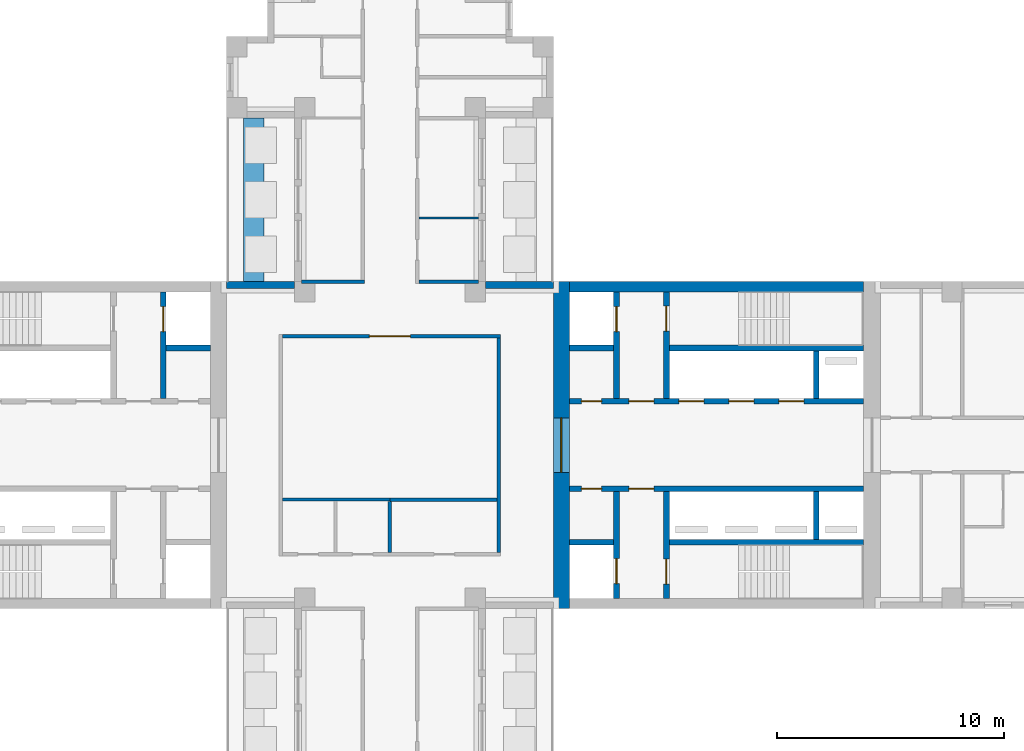
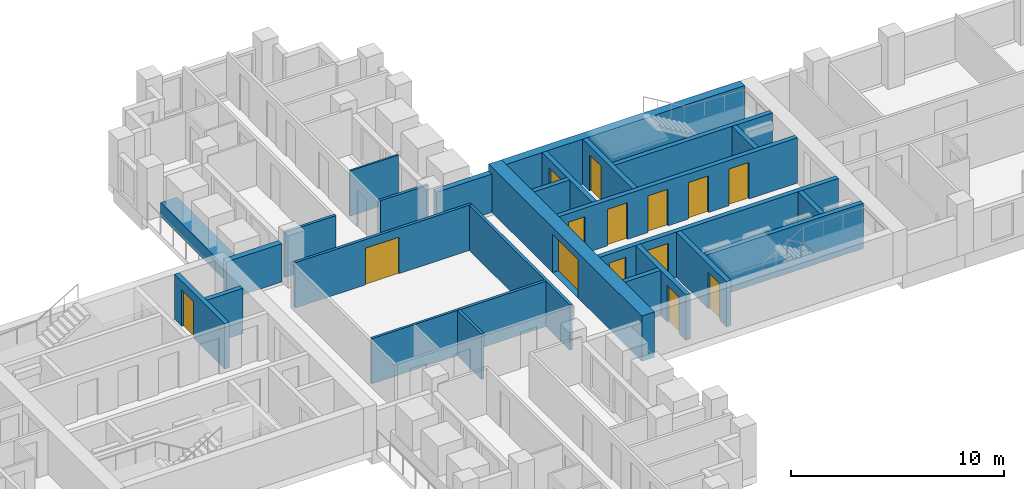
# One storey, part 6 of 11: 27 walls, 14 doors, 14 openings.
"""IFC4 building model written with IfcOpenShell, lengths in metres."""

import ifcopenshell
import ifcopenshell.guid

model = None  # the IFC model being written
_history = None  # IfcOwnerHistory: only IFC2X3 demands one
_inside = {}  # id of a spatial element -> (the spatial element, [elements in it])
_under = {}  # id of a project, library or spatial element -> (it, [spatial elements below it])
_declared = {}  # id of a project -> (the project, [libraries it declares])
_typed = {}  # id of a type object -> (the type object, [elements of that type])
_made_of = {}  # id of a material, layer set ... -> (it, [elements and type objects made of it])


def new_model(schema):
    """Start an empty IFC model of exactly this schema.

    Asked for "IFC4X3", IfcOpenShell would pick the latest addendum, in which some entities
    have other attributes; the version numbers below select the first issue.
    IFC2X3 requires an IfcOwnerHistory on every rooted entity: one is made here for all.
    """
    global model, _history
    if schema == "IFC4X3":
        model = ifcopenshell.file(schema_version=(4, 3, 0, 0))
    else:
        model = ifcopenshell.file(schema=schema)
    _inside.clear()
    _under.clear()
    _declared.clear()
    _typed.clear()
    _made_of.clear()
    _history = None
    if model.schema == "IFC2X3":
        org = make("IfcOrganization", Name="unknown")
        user = make(
            "IfcPersonAndOrganization",
            ThePerson=make("IfcPerson", FamilyName="unknown"),
            TheOrganization=org,
        )
        app = make(
            "IfcApplication",
            ApplicationDeveloper=org,
            Version="unknown",
            ApplicationFullName="unknown",
            ApplicationIdentifier="unknown",
        )
        _history = make(
            "IfcOwnerHistory",
            OwningUser=user,
            OwningApplication=app,
            ChangeAction="ADDED",
            CreationDate=0,
        )
    return model


def make(cls, **values):
    """One entity of the class cls with the attributes given. An attribute that is None is left unset."""
    return model.create_entity(
        cls, **{name: value for name, value in values.items() if value is not None}
    )


def rooted(cls, **values):
    """An entity with a GlobalId (a new one), such as an element, a storey or a relation."""
    return make(cls, GlobalId=ifcopenshell.guid.new(), OwnerHistory=_history, **values)


def si_unit(unit_type, name, prefix=None):
    """IfcSIUnit, for example si_unit("LENGTHUNIT", "METRE", prefix="MILLI")."""
    return make("IfcSIUnit", UnitType=unit_type, Prefix=prefix, Name=name)


def assignment(units):
    """IfcUnitAssignment: the units of a project."""
    return None if units is None else make("IfcUnitAssignment", Units=units)


def point(xyz):
    """IfcCartesianPoint."""
    return None if xyz is None else make("IfcCartesianPoint", Coordinates=xyz)


def direction(xyz):
    """IfcDirection."""
    return None if xyz is None else make("IfcDirection", DirectionRatios=xyz)


def frame(location, z_axis=None, x_axis=None):
    """IfcAxis2Placement3D, a coordinate frame: its origin and axes. An axis left out is left unset."""
    return make(
        "IfcAxis2Placement3D",
        Location=point(location),
        Axis=direction(z_axis),
        RefDirection=direction(x_axis),
    )


def frame_2d(location, x_axis=None):
    """IfcAxis2Placement2D, a coordinate frame in the plane: its origin and x axis."""
    return make(
        "IfcAxis2Placement2D", Location=point(location), RefDirection=direction(x_axis)
    )


def origin():
    """The frame at (0, 0, 0) with its axes left unset."""
    return frame((0.0, 0.0, 0.0))


def place(relative_to, where):
    """IfcLocalPlacement: puts the frame where relative to a parent placement (None: the world)."""
    return make(
        "IfcLocalPlacement", PlacementRelTo=relative_to, RelativePlacement=where
    )


def context(
    kind, dimensions, precision=None, world=None, true_north=None, identifier=None
):
    """IfcGeometricRepresentationContext, for example the 3D "Model" context."""
    return make(
        "IfcGeometricRepresentationContext",
        ContextIdentifier=identifier,
        ContextType=kind,
        CoordinateSpaceDimension=dimensions,
        Precision=precision,
        WorldCoordinateSystem=world,
        TrueNorth=true_north,
    )


def subcontext(parent, identifier, kind, view, scale=None):
    """IfcGeometricRepresentationSubContext, for example "Body" below "Model"."""
    return make(
        "IfcGeometricRepresentationSubContext",
        ContextIdentifier=identifier,
        ContextType=kind,
        ParentContext=parent,
        TargetScale=scale,
        TargetView=view,
    )


def project(units=None, contexts=None):
    """IfcProject with its units and contexts."""
    return rooted(
        "IfcProject",
        Name="project",
        RepresentationContexts=contexts,
        UnitsInContext=assignment(units),
    )


def spatial(cls, under=None, at=None, **own):
    """A site, building, storey or space (cls), placed at a placement, below another one or the project."""
    s = rooted(cls, ObjectPlacement=at, **own)
    if under is not None:
        _under.setdefault(under.id(), (under, []))[1].append(s)
    return s


def profile(cls, at=None, kind="AREA", **sizes):
    """A parametric profile (cls). Its sizes go by their IFC names, for example OverallWidth=200.0."""
    return make(cls, ProfileType=kind, Position=at, **sizes)


def rectangle(**sizes):
    """IfcRectangleProfileDef."""
    return profile("IfcRectangleProfileDef", **sizes)


def extrude(swept, where, along, depth):
    """IfcExtrudedAreaSolid: the profile swept, set in the frame where, extruded along a direction by depth."""
    return make(
        "IfcExtrudedAreaSolid",
        SweptArea=swept,
        Position=where,
        ExtrudedDirection=direction(along),
        Depth=depth,
    )


def shape(context_of_items, identifier, shape_type, items):
    """IfcShapeRepresentation: the items that make up one representation, for example the "Body"."""
    return make(
        "IfcShapeRepresentation",
        ContextOfItems=context_of_items,
        RepresentationIdentifier=identifier,
        RepresentationType=shape_type,
        Items=items,
    )


def material(Name=None, Category=None):
    """IfcMaterial."""
    return make("IfcMaterial", Name=Name, Category=Category)


def layer(
    of_material, thickness, ventilated=None, Name=None, Category=None, Priority=None
):
    """IfcMaterialLayer: one layer of a wall or slab, of a material (None: an air gap)."""
    return make(
        "IfcMaterialLayer",
        Material=of_material,
        LayerThickness=thickness,
        IsVentilated=ventilated,
        Name=Name,
        Category=Category,
        Priority=Priority,
    )


def layer_set(layers, Name=None):
    """IfcMaterialLayerSet."""
    return make("IfcMaterialLayerSet", MaterialLayers=layers, LayerSetName=Name)


def made_of(thing, what):
    """Note that an element or type object is made of a material, layer set ...; save() writes the relation."""
    if what is not None:
        _made_of.setdefault(what.id(), (what, []))[1].append(thing)
    return thing


def type_object(cls, material=None, **own):
    """A type object (cls), such as IfcWallType, which elements share."""
    return made_of(rooted(cls, **own), material)


def element(
    cls,
    number,
    at=None,
    inside=None,
    cuts=None,
    type_object=None,
    material=None,
    context=None,
    identifier="Body",
    shape_type=None,
    held_by="IfcProductDefinitionShape",
    body=None,
    shapes=None,
    **own,
):
    """One element of the class cls, such as IfcWall. Its Tag is "e" and its number.

    at: its placement. inside: the storey or other place that contains it. cuts: it is an
    opening in that element (IfcRelVoidsElement). A single representation is given by context,
    identifier, shape_type and body (its items); several are given by shapes. held_by: the class
    of the entity that holds the representations. save() writes the other relations.
    """
    e = rooted(cls, Tag="e%d" % number, ObjectPlacement=at, **own)
    if body is not None:
        shapes = [shape(context, identifier, shape_type, body)]
    if shapes is not None:
        e.Representation = make(held_by, Representations=shapes)
    if inside is not None:
        _inside.setdefault(inside.id(), (inside, []))[1].append(e)
    if cuts is not None:
        rooted(
            "IfcRelVoidsElement", RelatingBuildingElement=cuts, RelatedOpeningElement=e
        )
    if type_object is not None:
        _typed.setdefault(type_object.id(), (type_object, []))[1].append(e)
    return made_of(e, material)


def fill(opening, filler):
    """IfcRelFillsElement: the door or window that sits in an opening."""
    return rooted(
        "IfcRelFillsElement",
        RelatingOpeningElement=opening,
        RelatedBuildingElement=filler,
    )


def aggregate(whole, parts):
    """IfcRelAggregates: a whole, such as a stair, and the parts it consists of."""
    return rooted("IfcRelAggregates", RelatingObject=whole, RelatedObjects=parts)


def save(model, path):
    """Write the relations noted so far, then the file.

    IfcRelAggregates (storeys below a building ...), IfcRelContainedInSpatialStructure (elements
    in a storey), IfcRelDefinesByType, IfcRelAssociatesMaterial and IfcRelDeclares: one each for
    every whole, place, type object, material and project.
    """
    for whole, parts in _under.values():
        aggregate(whole, parts)
    for where, things in _inside.values():
        rooted(
            "IfcRelContainedInSpatialStructure",
            RelatedElements=things,
            RelatingStructure=where,
        )
    for kind, things in _typed.values():
        rooted("IfcRelDefinesByType", RelatedObjects=things, RelatingType=kind)
    for what, things in _made_of.values():
        rooted("IfcRelAssociatesMaterial", RelatedObjects=things, RelatingMaterial=what)
    for by, libraries in _declared.values():
        rooted("IfcRelDeclares", RelatingContext=by, RelatedDefinitions=libraries)
    model.write(path)


model = new_model("IFC4")

# Units and contexts
model_context = context("Model", 3, precision=1e-05, world=origin(), true_north=direction((0.0, 1.0)))
body_context = subcontext(model_context, "Body", "Model", "MODEL_VIEW")
ifc_project = project(units=[si_unit("LENGTHUNIT", "METRE"), si_unit("AREAUNIT", "SQUARE_METRE"), si_unit("VOLUMEUNIT", "CUBIC_METRE"), si_unit("PLANEANGLEUNIT", "RADIAN"), si_unit("MASSUNIT", "GRAM", prefix="KILO")], contexts=[model_context])

# Site, building, storey
site_placement = place(None, origin())
site = spatial("IfcSite", under=ifc_project, at=site_placement, CompositionType="ELEMENT")
building_placement = place(site_placement, origin())
building = spatial("IfcBuilding", under=site, at=building_placement, Name="Fustian Cross Tower", CompositionType="ELEMENT")
storey_placement = place(building_placement, frame((0.0, 0.0, 120.300048828125)))
storey = spatial("IfcBuildingStorey", under=building, at=storey_placement, Name="L37", CompositionType="ELEMENT", Elevation=120.300048828125)

# Wall, opening, door
ifc_material_1 = material(Name="Plasterboard on steel stud", Category="steel")
ifc_layer_1 = layer(ifc_material_1, 0.14990234375)
ifc_layer_set_1 = layer_set([ifc_layer_1], Name="Plasterboard on steel stud")
wall_type_1 = type_object("IfcWallType", Name="COMPARTMENT WALL 150 EI 60", PredefinedType="PARTITIONING", material=ifc_layer_set_1)
wall_1_placement = place(storey_placement, frame((-4.72509765625, 4.800048828125, 0.0), z_axis=(0.0, 0.0, 1.0), x_axis=(1.0, 0.0, 0.0)))
wall_1 = element("IfcWall", 1, at=wall_1_placement, inside=storey, type_object=wall_type_1, Name="Partition 20", PredefinedType="PARTITIONING", context=body_context, shape_type="SweptSolid", body=[
    extrude(rectangle(XDim=9.60009765625, YDim=0.14990234375, at=frame_2d((4.800048828125, 0.0))), origin(), (0.0, 0.0, 1.0), 2.599853515625),
])
opening_1_placement = place(wall_1_placement, frame((3.824951171875, 0.0, 0.0)))
opening_1 = element("IfcOpeningElement", 2, at=opening_1_placement, cuts=wall_1, Name="Opening D18004", PredefinedType="OPENING", context=body_context, shape_type="SweptSolid", body=[
    extrude(rectangle(XDim=1.800048828125, YDim=2.10009765625, at=frame_2d((0.89990234375, 1.050048828125))), frame((0.0, 0.0849609375, 0.0), z_axis=(0.0, -1.0, 0.0), x_axis=(1.0, 0.0, 0.0)), (0.0, 0.0, 1.0), 0.169921875),
])
ifc_material_2 = material(Name="Timber fire door set", Category="wood")
door_type_1 = type_object("IfcDoorType", Name="FIRE DOUBLE DOOR 1800 FD30S", OperationType="DOUBLE_DOOR_DOUBLE_SWING", PredefinedType="DOOR", material=ifc_material_2)
door_1_placement = place(opening_1_placement, origin())
door_1 = element("IfcDoor", 3, at=door_1_placement, inside=storey, type_object=door_type_1, Name="Door D18004", OperationType="DOUBLE_DOOR_DOUBLE_SWING", OverallHeight=2.10009765625, OverallWidth=1.800048828125, PredefinedType="DOOR", context=body_context, shape_type="SweptSolid", body=[
    extrude(rectangle(XDim=1.800048828125, YDim=2.10009765625, at=frame_2d((0.89990234375, 1.050048828125))), frame((0.0, 0.02490234375, 0.0), z_axis=(0.0, -1.0, 0.0), x_axis=(1.0, 0.0, 0.0)), (0.0, 0.0, 1.0), 0.050048828125),
])
fill(opening_1, door_1)

# Walls
wall_2_placement = place(storey_placement, frame((-3.89990234375, 7.199951171875, 0.0), z_axis=(0.0, 0.0, 1.0), x_axis=(1.0, 0.0, 0.0)))
element("IfcWall", 4, at=wall_2_placement, inside=storey, type_object=wall_type_1, Name="Partition 23", PredefinedType="PARTITIONING", context=body_context, shape_type="SweptSolid", body=[
    extrude(rectangle(XDim=2.77490234375, YDim=0.14990234375, at=frame_2d((1.387451171875, 0.0))), origin(), (0.0, 0.0, 1.0), 2.599853515625),
])
wall_3_placement = place(storey_placement, frame((0.0, -4.72509765625, 0.0), z_axis=(0.0, 0.0, 1.0), x_axis=(0.0, 1.0, 0.0)))
element("IfcWall", 5, at=wall_3_placement, inside=storey, type_object=wall_type_1, Name="Partition 34", PredefinedType="PARTITIONING", context=body_context, shape_type="SweptSolid", body=[
    extrude(rectangle(XDim=2.25, YDim=0.14990234375, at=frame_2d((1.125, 0.0))), origin(), (0.0, 0.0, 1.0), 2.599853515625),
])
wall_4_placement = place(storey_placement, frame((0.0, -2.39990234375, 0.0), z_axis=(0.0, 0.0, 1.0), x_axis=(1.0, 0.0, 0.0)))
element("IfcWall", 6, at=wall_4_placement, inside=storey, type_object=wall_type_1, Name="Partition 35", PredefinedType="PARTITIONING", context=body_context, shape_type="SweptSolid", body=[
    extrude(rectangle(XDim=4.72509765625, YDim=0.14990234375, at=frame_2d((2.362548828125, 0.0))), origin(), (0.0, 0.0, 1.0), 2.599853515625),
])
wall_5_placement = place(storey_placement, frame((1.27490234375, 7.199951171875, 0.0), z_axis=(0.0, 0.0, 1.0), x_axis=(1.0, 0.0, 0.0)))
element("IfcWall", 7, at=wall_5_placement, inside=storey, type_object=wall_type_1, Name="Partition 43", PredefinedType="PARTITIONING", context=body_context, shape_type="SweptSolid", body=[
    extrude(rectangle(XDim=2.625, YDim=0.14990234375, at=frame_2d((1.3125, 0.0))), origin(), (0.0, 0.0, 1.0), 2.599853515625),
])
wall_6_placement = place(storey_placement, frame((4.800048828125, -4.72509765625, 0.0), z_axis=(0.0, 0.0, 1.0), x_axis=(0.0, 1.0, 0.0)))
element("IfcWall", 8, at=wall_6_placement, inside=storey, type_object=wall_type_1, Name="Partition 48", PredefinedType="PARTITIONING", context=body_context, shape_type="SweptSolid", body=[
    extrude(rectangle(XDim=9.4501953125, YDim=0.14990234375, at=frame_2d((4.72509765625, 0.0))), origin(), (0.0, 0.0, 1.0), 2.599853515625),
])

# Wall, opening, door
ifc_material_3 = material(Name="Concrete C60/75", Category="concrete")
ifc_layer_2 = layer(ifc_material_3, 0.699951171875)
ifc_layer_set_2 = layer_set([ifc_layer_2], Name="Concrete C60/75")
wall_type_2 = type_object("IfcWallType", Name="CORE END WALL 700 C60/75", PredefinedType="SHEAR", material=ifc_layer_set_2)
wall_7_placement = place(storey_placement, frame((7.550048828125, -7.199951171875, 0.0), z_axis=(0.0, 0.0, 1.0), x_axis=(0.0, 1.0, 0.0)))
wall_7 = element("IfcWall", 9, at=wall_7_placement, inside=storey, type_object=wall_type_2, Name="Core end wall", PredefinedType="SHEAR", context=body_context, shape_type="SweptSolid", body=[
    extrude(rectangle(XDim=14.39990234375, YDim=0.699951171875, at=frame_2d((7.199951171875, 0.0))), origin(), (0.0, 0.0, 1.0), 2.599853515625),
])
opening_2_placement = place(wall_7_placement, frame((6.0, 0.0, 0.0)))
opening_2 = element("IfcOpeningElement", 10, at=opening_2_placement, cuts=wall_7, Name="Opening CD-15-12", PredefinedType="OPENING", context=body_context, shape_type="SweptSolid", body=[
    extrude(rectangle(XDim=2.39990234375, YDim=2.199951171875, at=frame_2d((1.199951171875, 1.10009765625))), frame((0.0, 0.35986328125, 0.0), z_axis=(0.0, -1.0, 0.0), x_axis=(1.0, 0.0, 0.0)), (0.0, 0.0, 1.0), 0.719970703125),
])
ifc_material_4 = material(Name="Steel", Category="steel")
door_type_2 = type_object("IfcDoorType", Name="FIRE DOOR FD30S DOUBLE 2400X2200", OperationType="DOUBLE_DOOR_DOUBLE_SWING", PredefinedType="DOOR", material=ifc_material_4)
door_2_placement = place(opening_2_placement, origin())
door_2 = element("IfcDoor", 11, at=door_2_placement, inside=storey, type_object=door_type_2, Name="Core door CD-15-12", OperationType="DOUBLE_DOOR_DOUBLE_SWING", OverallHeight=2.199951171875, OverallWidth=2.39990234375, PredefinedType="DOOR", context=body_context, shape_type="SweptSolid", body=[
    extrude(rectangle(XDim=2.39990234375, YDim=2.199951171875, at=frame_2d((1.199951171875, 1.10009765625))), frame((0.0, 0.02490234375, 0.0), z_axis=(0.0, -1.0, 0.0), x_axis=(1.0, 0.0, 0.0)), (0.0, 0.0, 1.0), 0.050048828125),
])
fill(opening_2, door_2)

# Wall
ifc_material_5 = material(Name="Concrete C60/75", Category="concrete")
ifc_layer_3 = layer(ifc_material_5, 0.449951171875)
ifc_layer_set_3 = layer_set([ifc_layer_3], Name="Concrete C60/75")
wall_type_3 = type_object("IfcWallType", Name="CORE FACADE WALL 450 C60/75", PredefinedType="SHEAR", material=ifc_layer_set_3)
wall_8_placement = place(storey_placement, frame((7.89990234375, 6.97509765625, 0.0), z_axis=(0.0, 0.0, 1.0), x_axis=(1.0, 0.0, 0.0)))
element("IfcWall", 12, at=wall_8_placement, inside=storey, type_object=wall_type_3, Name="Core facade wall", PredefinedType="SHEAR", context=body_context, shape_type="SweptSolid", body=[
    extrude(rectangle(XDim=12.9501953125, YDim=0.449951171875, at=frame_2d((6.47509765625, 0.0))), origin(), (0.0, 0.0, 1.0), 2.599853515625),
])

# Wall, openings, doors
ifc_material_6 = material(Name="Concrete C50/60", Category="concrete")
ifc_layer_4 = layer(ifc_material_6, 0.25)
ifc_layer_set_4 = layer_set([ifc_layer_4], Name="Concrete C50/60")
wall_type_4 = type_object("IfcWallType", Name="CORE LOBBY WALL 250 C50/60", PredefinedType="SHEAR", material=ifc_layer_set_4)
wall_9_placement = place(storey_placement, frame((7.89990234375, 1.925048828125, 0.0), z_axis=(0.0, 0.0, 1.0), x_axis=(1.0, 0.0, 0.0)))
wall_9 = element("IfcWall", 13, at=wall_9_placement, inside=storey, type_object=wall_type_4, Name="Core lobby wall", PredefinedType="SHEAR", context=body_context, shape_type="SweptSolid", body=[
    extrude(rectangle(XDim=12.9501953125, YDim=0.25, at=frame_2d((6.47509765625, 0.0))), origin(), (0.0, 0.0, 1.0), 2.599853515625),
])
opening_3_placement = place(wall_9_placement, frame((4.824951171875, 0.0, 0.0)))
opening_3 = element("IfcOpeningElement", 14, at=opening_3_placement, cuts=wall_9, Name="Opening LD", PredefinedType="OPENING", context=body_context, shape_type="SweptSolid", body=[
    extrude(rectangle(XDim=1.10009765625, YDim=2.10009765625, at=frame_2d((0.550048828125, 1.050048828125))), frame((0.0, 0.135009765625, 0.0), z_axis=(0.0, -1.0, 0.0), x_axis=(1.0, 0.0, 0.0)), (0.0, 0.0, 1.0), 0.27001953125),
])
opening_4_placement = place(wall_9_placement, frame((7.02490234375, 0.0, 0.0)))
opening_4 = element("IfcOpeningElement", 15, at=opening_4_placement, cuts=wall_9, Name="Opening LD", PredefinedType="OPENING", context=body_context, shape_type="SweptSolid", body=[
    extrude(rectangle(XDim=1.10009765625, YDim=2.10009765625, at=frame_2d((0.550048828125, 1.050048828125))), frame((0.0, 0.135009765625, 0.0), z_axis=(0.0, -1.0, 0.0), x_axis=(1.0, 0.0, 0.0)), (0.0, 0.0, 1.0), 0.27001953125),
])
opening_5_placement = place(wall_9_placement, frame((9.22509765625, 0.0, 0.0)))
opening_5 = element("IfcOpeningElement", 16, at=opening_5_placement, cuts=wall_9, Name="Opening LD", PredefinedType="OPENING", context=body_context, shape_type="SweptSolid", body=[
    extrude(rectangle(XDim=1.10009765625, YDim=2.10009765625, at=frame_2d((0.550048828125, 1.050048828125))), frame((0.0, 0.135009765625, 0.0), z_axis=(0.0, -1.0, 0.0), x_axis=(1.0, 0.0, 0.0)), (0.0, 0.0, 1.0), 0.27001953125),
])
opening_6_placement = place(wall_9_placement, frame((0.52490234375, 0.0, 0.0)))
opening_6 = element("IfcOpeningElement", 17, at=opening_6_placement, cuts=wall_9, Name="Opening CD-15-08", PredefinedType="OPENING", context=body_context, shape_type="SweptSolid", body=[
    extrude(rectangle(XDim=0.89990234375, YDim=2.10009765625, at=frame_2d((0.449951171875, 1.050048828125))), frame((0.0, 0.135009765625, 0.0), z_axis=(0.0, -1.0, 0.0), x_axis=(1.0, 0.0, 0.0)), (0.0, 0.0, 1.0), 0.27001953125),
])
opening_7_placement = place(wall_9_placement, frame((2.625, 0.0, 0.0)))
opening_7 = element("IfcOpeningElement", 18, at=opening_7_placement, cuts=wall_9, Name="Opening CD-15-10", PredefinedType="OPENING", context=body_context, shape_type="SweptSolid", body=[
    extrude(rectangle(XDim=1.10009765625, YDim=2.10009765625, at=frame_2d((0.550048828125, 1.050048828125))), frame((0.0, 0.135009765625, 0.0), z_axis=(0.0, -1.0, 0.0), x_axis=(1.0, 0.0, 0.0)), (0.0, 0.0, 1.0), 0.27001953125),
])
ifc_material_7 = material(Name="Steel", Category="steel")
door_type_3 = type_object("IfcDoorType", Name="FIRE DOOR FD60S 1100X2100", OperationType="SINGLE_SWING_LEFT", PredefinedType="DOOR", material=ifc_material_7)
door_3_placement = place(opening_7_placement, frame((1.10009765625, 0.0, 0.0), z_axis=(0.0, 0.0, 1.0), x_axis=(-1.0, 0.0, 0.0)))
door_3 = element("IfcDoor", 19, at=door_3_placement, inside=storey, type_object=door_type_3, Name="Core door CD-15-10", OperationType="SINGLE_SWING_RIGHT", OverallHeight=2.10009765625, OverallWidth=1.10009765625, PredefinedType="DOOR", context=body_context, shape_type="SweptSolid", body=[
    extrude(rectangle(XDim=1.10009765625, YDim=2.10009765625, at=frame_2d((0.550048828125, 1.050048828125))), frame((0.0, 0.02490234375, 0.0), z_axis=(0.0, -1.0, 0.0), x_axis=(1.0, 0.0, 0.0)), (0.0, 0.0, 1.0), 0.050048828125),
])
fill(opening_7, door_3)
ifc_material_8 = material(Name="Steel", Category="steel")
door_type_4 = type_object("IfcDoorType", Name="FIRE DOOR FD60S 900X2100", OperationType="SINGLE_SWING_LEFT", PredefinedType="DOOR", material=ifc_material_8)
door_4_placement = place(opening_6_placement, origin())
door_4 = element("IfcDoor", 20, at=door_4_placement, inside=storey, type_object=door_type_4, Name="Core door CD-15-08", OperationType="SINGLE_SWING_LEFT", OverallHeight=2.10009765625, OverallWidth=0.89990234375, PredefinedType="DOOR", context=body_context, shape_type="SweptSolid", body=[
    extrude(rectangle(XDim=0.89990234375, YDim=2.10009765625, at=frame_2d((0.449951171875, 1.050048828125))), frame((0.0, 0.02490234375, 0.0), z_axis=(0.0, -1.0, 0.0), x_axis=(1.0, 0.0, 0.0)), (0.0, 0.0, 1.0), 0.050048828125),
])
fill(opening_6, door_4)
ifc_material_9 = material(Name="Stainless steel", Category="steel")
door_type_5 = type_object("IfcDoorType", Name="LIFT LANDING DOOR 1100X2100", OperationType="SLIDING_TO_LEFT", PredefinedType="DOOR", material=ifc_material_9)
door_5_placement = place(opening_3_placement, origin())
door_5 = element("IfcDoor", 21, at=door_5_placement, inside=storey, type_object=door_type_5, Name="Landing door HR1", OperationType="SLIDING_TO_LEFT", OverallHeight=2.10009765625, OverallWidth=1.10009765625, PredefinedType="DOOR", context=body_context, shape_type="SweptSolid", body=[
    extrude(rectangle(XDim=1.10009765625, YDim=2.10009765625, at=frame_2d((0.550048828125, 1.050048828125))), frame((0.0, 0.02490234375, 0.0), z_axis=(0.0, -1.0, 0.0), x_axis=(1.0, 0.0, 0.0)), (0.0, 0.0, 1.0), 0.050048828125),
])
fill(opening_3, door_5)
door_6_placement = place(opening_4_placement, origin())
door_6 = element("IfcDoor", 22, at=door_6_placement, inside=storey, type_object=door_type_5, Name="Landing door HR2", OperationType="SLIDING_TO_LEFT", OverallHeight=2.10009765625, OverallWidth=1.10009765625, PredefinedType="DOOR", context=body_context, shape_type="SweptSolid", body=[
    extrude(rectangle(XDim=1.10009765625, YDim=2.10009765625, at=frame_2d((0.550048828125, 1.050048828125))), frame((0.0, 0.02490234375, 0.0), z_axis=(0.0, -1.0, 0.0), x_axis=(1.0, 0.0, 0.0)), (0.0, 0.0, 1.0), 0.050048828125),
])
fill(opening_4, door_6)
door_7_placement = place(opening_5_placement, origin())
door_7 = element("IfcDoor", 23, at=door_7_placement, inside=storey, type_object=door_type_5, Name="Landing door HR3", OperationType="SLIDING_TO_LEFT", OverallHeight=2.10009765625, OverallWidth=1.10009765625, PredefinedType="DOOR", context=body_context, shape_type="SweptSolid", body=[
    extrude(rectangle(XDim=1.10009765625, YDim=2.10009765625, at=frame_2d((0.550048828125, 1.050048828125))), frame((0.0, 0.02490234375, 0.0), z_axis=(0.0, -1.0, 0.0), x_axis=(1.0, 0.0, 0.0)), (0.0, 0.0, 1.0), 0.050048828125),
])
fill(opening_5, door_7)

wall_10_placement = place(storey_placement, frame((7.89990234375, -1.925048828125, 0.0), z_axis=(0.0, 0.0, 1.0), x_axis=(1.0, 0.0, 0.0)))
wall_10 = element("IfcWall", 24, at=wall_10_placement, inside=storey, type_object=wall_type_4, Name="Core lobby wall", PredefinedType="SHEAR", context=body_context, shape_type="SweptSolid", body=[
    extrude(rectangle(XDim=12.9501953125, YDim=0.25, at=frame_2d((6.47509765625, 0.0))), origin(), (0.0, 0.0, 1.0), 2.599853515625),
])
opening_8_placement = place(wall_10_placement, frame((0.52490234375, 0.0, 0.0)))
opening_8 = element("IfcOpeningElement", 25, at=opening_8_placement, cuts=wall_10, Name="Opening CD-15-09", PredefinedType="OPENING", context=body_context, shape_type="SweptSolid", body=[
    extrude(rectangle(XDim=0.89990234375, YDim=2.10009765625, at=frame_2d((0.449951171875, 1.050048828125))), frame((0.0, 0.135009765625, 0.0), z_axis=(0.0, -1.0, 0.0), x_axis=(1.0, 0.0, 0.0)), (0.0, 0.0, 1.0), 0.27001953125),
])
opening_9_placement = place(wall_10_placement, frame((2.625, 0.0, 0.0)))
opening_9 = element("IfcOpeningElement", 26, at=opening_9_placement, cuts=wall_10, Name="Opening CD-15-11", PredefinedType="OPENING", context=body_context, shape_type="SweptSolid", body=[
    extrude(rectangle(XDim=1.10009765625, YDim=2.10009765625, at=frame_2d((0.550048828125, 1.050048828125))), frame((0.0, 0.135009765625, 0.0), z_axis=(0.0, -1.0, 0.0), x_axis=(1.0, 0.0, 0.0)), (0.0, 0.0, 1.0), 0.27001953125),
])
ifc_material_10 = material(Name="Steel", Category="steel")
door_type_6 = type_object("IfcDoorType", Name="FIRE DOOR FD30S 1100X2100", OperationType="SINGLE_SWING_LEFT", PredefinedType="DOOR", material=ifc_material_10)
door_8_placement = place(opening_9_placement, frame((1.10009765625, 0.0, 0.0), z_axis=(0.0, 0.0, 1.0), x_axis=(-1.0, 0.0, 0.0)))
door_8 = element("IfcDoor", 27, at=door_8_placement, inside=storey, type_object=door_type_6, Name="Core door CD-15-11", OperationType="SINGLE_SWING_RIGHT", OverallHeight=2.10009765625, OverallWidth=1.10009765625, PredefinedType="DOOR", context=body_context, shape_type="SweptSolid", body=[
    extrude(rectangle(XDim=1.10009765625, YDim=2.10009765625, at=frame_2d((0.550048828125, 1.050048828125))), frame((0.0, 0.02490234375, 0.0), z_axis=(0.0, -1.0, 0.0), x_axis=(1.0, 0.0, 0.0)), (0.0, 0.0, 1.0), 0.050048828125),
])
fill(opening_9, door_8)
ifc_material_11 = material(Name="Steel", Category="steel")
door_type_7 = type_object("IfcDoorType", Name="FIRE DOOR FD30S 900X2100", OperationType="SINGLE_SWING_LEFT", PredefinedType="DOOR", material=ifc_material_11)
door_9_placement = place(opening_8_placement, frame((0.89990234375, 0.0, 0.0), z_axis=(0.0, 0.0, 1.0), x_axis=(-1.0, 0.0, 0.0)))
door_9 = element("IfcDoor", 28, at=door_9_placement, inside=storey, type_object=door_type_7, Name="Core door CD-15-09", OperationType="SINGLE_SWING_RIGHT", OverallHeight=2.10009765625, OverallWidth=0.89990234375, PredefinedType="DOOR", context=body_context, shape_type="SweptSolid", body=[
    extrude(rectangle(XDim=0.89990234375, YDim=2.10009765625, at=frame_2d((0.449951171875, 1.050048828125))), frame((0.0, 0.02490234375, 0.0), z_axis=(0.0, -1.0, 0.0), x_axis=(1.0, 0.0, 0.0)), (0.0, 0.0, 1.0), 0.050048828125),
])
fill(opening_8, door_9)

# Walls
ifc_material_12 = material(Name="Concrete C50/60", Category="concrete")
ifc_layer_5 = layer(ifc_material_12, 0.25)
ifc_layer_set_5 = layer_set([ifc_layer_5], Name="Concrete C50/60")
wall_type_5 = type_object("IfcWallType", Name="CORE SHAFT WALL 250 C50/60", PredefinedType="SHEAR", material=ifc_layer_set_5)
wall_11_placement = place(storey_placement, frame((7.89990234375, 4.27490234375, 0.0), z_axis=(0.0, 0.0, 1.0), x_axis=(1.0, 0.0, 0.0)))
element("IfcWall", 29, at=wall_11_placement, inside=storey, type_object=wall_type_5, Name="Core shaft wall", PredefinedType="SHEAR", context=body_context, shape_type="SweptSolid", body=[
    extrude(rectangle(XDim=1.9501953125, YDim=0.25, at=frame_2d((0.97509765625, 0.0))), origin(), (0.0, 0.0, 1.0), 2.599853515625),
])
wall_12_placement = place(storey_placement, frame((12.300048828125, 4.27490234375, 0.0), z_axis=(0.0, 0.0, 1.0), x_axis=(1.0, 0.0, 0.0)))
element("IfcWall", 30, at=wall_12_placement, inside=storey, type_object=wall_type_5, Name="Core shaft wall", PredefinedType="SHEAR", context=body_context, shape_type="SweptSolid", body=[
    extrude(rectangle(XDim=8.550048828125, YDim=0.25, at=frame_2d((4.27490234375, 0.0))), origin(), (0.0, 0.0, 1.0), 2.599853515625),
])

# Wall, opening, door
wall_13_placement = place(storey_placement, frame((9.97509765625, 2.050048828125, 0.0), z_axis=(0.0, 0.0, 1.0), x_axis=(0.0, 1.0, 0.0)))
wall_13 = element("IfcWall", 31, at=wall_13_placement, inside=storey, type_object=wall_type_5, Name="Core shaft wall", PredefinedType="SHEAR", context=body_context, shape_type="SweptSolid", body=[
    extrude(rectangle(XDim=4.699951171875, YDim=0.25, at=frame_2d((2.35009765625, 0.0))), origin(), (0.0, 0.0, 1.0), 2.599853515625),
])
opening_10_placement = place(wall_13_placement, frame((2.949951171875, 0.0, 0.0)))
opening_10 = element("IfcOpeningElement", 32, at=opening_10_placement, cuts=wall_13, Name="Opening LD", PredefinedType="OPENING", context=body_context, shape_type="SweptSolid", body=[
    extrude(rectangle(XDim=1.10009765625, YDim=2.10009765625, at=frame_2d((0.550048828125, 1.050048828125))), frame((0.0, 0.135009765625, 0.0), z_axis=(0.0, -1.0, 0.0), x_axis=(1.0, 0.0, 0.0)), (0.0, 0.0, 1.0), 0.27001953125),
])
door_10_placement = place(opening_10_placement, origin())
door_10 = element("IfcDoor", 33, at=door_10_placement, inside=storey, type_object=door_type_5, Name="Landing door FL1", OperationType="SLIDING_TO_LEFT", OverallHeight=2.10009765625, OverallWidth=1.10009765625, PredefinedType="DOOR", context=body_context, shape_type="SweptSolid", body=[
    extrude(rectangle(XDim=1.10009765625, YDim=2.10009765625, at=frame_2d((0.550048828125, 1.050048828125))), frame((0.0, 0.02490234375, 0.0), z_axis=(0.0, -1.0, 0.0), x_axis=(1.0, 0.0, 0.0)), (0.0, 0.0, 1.0), 0.050048828125),
])
fill(opening_10, door_10)

wall_14_placement = place(storey_placement, frame((12.175048828125, 2.050048828125, 0.0), z_axis=(0.0, 0.0, 1.0), x_axis=(0.0, 1.0, 0.0)))
wall_14 = element("IfcWall", 34, at=wall_14_placement, inside=storey, type_object=wall_type_5, Name="Core shaft wall", PredefinedType="SHEAR", context=body_context, shape_type="SweptSolid", body=[
    extrude(rectangle(XDim=4.699951171875, YDim=0.25, at=frame_2d((2.35009765625, 0.0))), origin(), (0.0, 0.0, 1.0), 2.599853515625),
])
opening_11_placement = place(wall_14_placement, frame((2.97509765625, 0.0, 0.0)))
opening_11 = element("IfcOpeningElement", 35, at=opening_11_placement, cuts=wall_14, Name="Opening CD-15-06", PredefinedType="OPENING", context=body_context, shape_type="SweptSolid", body=[
    extrude(rectangle(XDim=1.10009765625, YDim=2.10009765625, at=frame_2d((0.550048828125, 1.050048828125))), frame((0.0, 0.135009765625, 0.0), z_axis=(0.0, -1.0, 0.0), x_axis=(1.0, 0.0, 0.0)), (0.0, 0.0, 1.0), 0.27001953125),
])
door_11_placement = place(opening_11_placement, frame((1.10009765625, 0.0, 0.0), z_axis=(0.0, 0.0, 1.0), x_axis=(-1.0, 0.0, 0.0)))
door_11 = element("IfcDoor", 36, at=door_11_placement, inside=storey, type_object=door_type_3, Name="Core door CD-15-06", OperationType="SINGLE_SWING_RIGHT", OverallHeight=2.10009765625, OverallWidth=1.10009765625, PredefinedType="DOOR", context=body_context, shape_type="SweptSolid", body=[
    extrude(rectangle(XDim=1.10009765625, YDim=2.10009765625, at=frame_2d((0.550048828125, 1.050048828125))), frame((0.0, 0.02490234375, 0.0), z_axis=(0.0, -1.0, 0.0), x_axis=(1.0, 0.0, 0.0)), (0.0, 0.0, 1.0), 0.050048828125),
])
fill(opening_11, door_11)

# Walls
wall_15_placement = place(storey_placement, frame((7.89990234375, -4.27490234375, 0.0), z_axis=(0.0, 0.0, 1.0), x_axis=(1.0, 0.0, 0.0)))
element("IfcWall", 37, at=wall_15_placement, inside=storey, type_object=wall_type_5, Name="Core shaft wall", PredefinedType="SHEAR", context=body_context, shape_type="SweptSolid", body=[
    extrude(rectangle(XDim=1.9501953125, YDim=0.25, at=frame_2d((0.97509765625, 0.0))), origin(), (0.0, 0.0, 1.0), 2.599853515625),
])
wall_16_placement = place(storey_placement, frame((12.300048828125, -4.27490234375, 0.0), z_axis=(0.0, 0.0, 1.0), x_axis=(1.0, 0.0, 0.0)))
element("IfcWall", 38, at=wall_16_placement, inside=storey, type_object=wall_type_5, Name="Core shaft wall", PredefinedType="SHEAR", context=body_context, shape_type="SweptSolid", body=[
    extrude(rectangle(XDim=8.550048828125, YDim=0.25, at=frame_2d((4.27490234375, 0.0))), origin(), (0.0, 0.0, 1.0), 2.599853515625),
])

# Wall, opening, door
wall_17_placement = place(storey_placement, frame((9.97509765625, -2.050048828125, 0.0), z_axis=(0.0, 0.0, 1.0), x_axis=(0.0, -1.0, 0.0)))
wall_17 = element("IfcWall", 39, at=wall_17_placement, inside=storey, type_object=wall_type_5, Name="Core shaft wall", PredefinedType="SHEAR", context=body_context, shape_type="SweptSolid", body=[
    extrude(rectangle(XDim=4.699951171875, YDim=0.25, at=frame_2d((2.35009765625, 0.0))), origin(), (0.0, 0.0, 1.0), 2.599853515625),
])
opening_12_placement = place(wall_17_placement, frame((2.949951171875, 0.0, 0.0)))
opening_12 = element("IfcOpeningElement", 40, at=opening_12_placement, cuts=wall_17, Name="Opening LD", PredefinedType="OPENING", context=body_context, shape_type="SweptSolid", body=[
    extrude(rectangle(XDim=1.10009765625, YDim=2.10009765625, at=frame_2d((0.550048828125, 1.050048828125))), frame((0.0, 0.135009765625, 0.0), z_axis=(0.0, -1.0, 0.0), x_axis=(1.0, 0.0, 0.0)), (0.0, 0.0, 1.0), 0.27001953125),
])
door_12_placement = place(opening_12_placement, origin())
door_12 = element("IfcDoor", 41, at=door_12_placement, inside=storey, type_object=door_type_5, Name="Landing door SV1", OperationType="SLIDING_TO_LEFT", OverallHeight=2.10009765625, OverallWidth=1.10009765625, PredefinedType="DOOR", context=body_context, shape_type="SweptSolid", body=[
    extrude(rectangle(XDim=1.10009765625, YDim=2.10009765625, at=frame_2d((0.550048828125, 1.050048828125))), frame((0.0, 0.02490234375, 0.0), z_axis=(0.0, -1.0, 0.0), x_axis=(1.0, 0.0, 0.0)), (0.0, 0.0, 1.0), 0.050048828125),
])
fill(opening_12, door_12)

wall_18_placement = place(storey_placement, frame((12.175048828125, -2.050048828125, 0.0), z_axis=(0.0, 0.0, 1.0), x_axis=(0.0, -1.0, 0.0)))
wall_18 = element("IfcWall", 42, at=wall_18_placement, inside=storey, type_object=wall_type_5, Name="Core shaft wall", PredefinedType="SHEAR", context=body_context, shape_type="SweptSolid", body=[
    extrude(rectangle(XDim=4.699951171875, YDim=0.25, at=frame_2d((2.35009765625, 0.0))), origin(), (0.0, 0.0, 1.0), 2.599853515625),
])
opening_13_placement = place(wall_18_placement, frame((2.97509765625, 0.0, 0.0)))
opening_13 = element("IfcOpeningElement", 43, at=opening_13_placement, cuts=wall_18, Name="Opening CD-15-07", PredefinedType="OPENING", context=body_context, shape_type="SweptSolid", body=[
    extrude(rectangle(XDim=1.10009765625, YDim=2.10009765625, at=frame_2d((0.550048828125, 1.050048828125))), frame((0.0, 0.135009765625, 0.0), z_axis=(0.0, -1.0, 0.0), x_axis=(1.0, 0.0, 0.0)), (0.0, 0.0, 1.0), 0.27001953125),
])
door_13_placement = place(opening_13_placement, origin())
door_13 = element("IfcDoor", 44, at=door_13_placement, inside=storey, type_object=door_type_3, Name="Core door CD-15-07", OperationType="SINGLE_SWING_LEFT", OverallHeight=2.10009765625, OverallWidth=1.10009765625, PredefinedType="DOOR", context=body_context, shape_type="SweptSolid", body=[
    extrude(rectangle(XDim=1.10009765625, YDim=2.10009765625, at=frame_2d((0.550048828125, 1.050048828125))), frame((0.0, 0.02490234375, 0.0), z_axis=(0.0, -1.0, 0.0), x_axis=(1.0, 0.0, 0.0)), (0.0, 0.0, 1.0), 0.050048828125),
])
fill(opening_13, door_13)

# Wall
wall_19_placement = place(storey_placement, frame((-7.89990234375, 4.27490234375, 0.0), z_axis=(0.0, 0.0, 1.0), x_axis=(-1.0, 0.0, 0.0)))
element("IfcWall", 45, at=wall_19_placement, inside=storey, type_object=wall_type_5, Name="Core shaft wall", PredefinedType="SHEAR", context=body_context, shape_type="SweptSolid", body=[
    extrude(rectangle(XDim=1.9501953125, YDim=0.25, at=frame_2d((0.97509765625, 0.0))), origin(), (0.0, 0.0, 1.0), 2.599853515625),
])

# Wall, opening, door
wall_20_placement = place(storey_placement, frame((-9.97509765625, 2.050048828125, 0.0), z_axis=(0.0, 0.0, 1.0), x_axis=(0.0, 1.0, 0.0)))
wall_20 = element("IfcWall", 46, at=wall_20_placement, inside=storey, type_object=wall_type_5, Name="Core shaft wall", PredefinedType="SHEAR", context=body_context, shape_type="SweptSolid", body=[
    extrude(rectangle(XDim=4.699951171875, YDim=0.25, at=frame_2d((2.35009765625, 0.0))), origin(), (0.0, 0.0, 1.0), 2.599853515625),
])
opening_14_placement = place(wall_20_placement, frame((2.949951171875, 0.0, 0.0)))
opening_14 = element("IfcOpeningElement", 47, at=opening_14_placement, cuts=wall_20, Name="Opening LD", PredefinedType="OPENING", context=body_context, shape_type="SweptSolid", body=[
    extrude(rectangle(XDim=1.10009765625, YDim=2.10009765625, at=frame_2d((0.550048828125, 1.050048828125))), frame((0.0, 0.135009765625, 0.0), z_axis=(0.0, -1.0, 0.0), x_axis=(1.0, 0.0, 0.0)), (0.0, 0.0, 1.0), 0.27001953125),
])
door_14_placement = place(opening_14_placement, origin())
door_14 = element("IfcDoor", 48, at=door_14_placement, inside=storey, type_object=door_type_5, Name="Landing door FL1W", OperationType="SLIDING_TO_LEFT", OverallHeight=2.10009765625, OverallWidth=1.10009765625, PredefinedType="DOOR", context=body_context, shape_type="SweptSolid", body=[
    extrude(rectangle(XDim=1.10009765625, YDim=2.10009765625, at=frame_2d((0.550048828125, 1.050048828125))), frame((0.0, 0.02490234375, 0.0), z_axis=(0.0, -1.0, 0.0), x_axis=(1.0, 0.0, 0.0)), (0.0, 0.0, 1.0), 0.050048828125),
])
fill(opening_14, door_14)

# Walls
ifc_material_13 = material(Name="Plasterboard on steel stud", Category="steel")
ifc_layer_6 = layer(ifc_material_13, 0.10009765625)
ifc_layer_set_6 = layer_set([ifc_layer_6], Name="Plasterboard on steel stud")
wall_type_6 = type_object("IfcWallType", Name="PARTITION 100 STUD", PredefinedType="PARTITIONING", material=ifc_layer_set_6)
wall_21_placement = place(storey_placement, frame((1.27490234375, 10.0, 0.0), z_axis=(0.0, 0.0, 1.0), x_axis=(1.0, 0.0, 0.0)))
element("IfcWall", 49, at=wall_21_placement, inside=storey, type_object=wall_type_6, Name="Partition 44", PredefinedType="PARTITIONING", context=body_context, shape_type="SweptSolid", body=[
    extrude(rectangle(XDim=2.625, YDim=0.10009765625, at=frame_2d((1.3125, 0.0))), origin(), (0.0, 0.0, 1.0), 2.599853515625),
])
ifc_material_14 = material(Name="Concrete C40/50", Category="concrete")
ifc_layer_7 = layer(ifc_material_14, 0.89990234375)
ifc_layer_set_7 = layer_set([ifc_layer_7], Name="Concrete C40/50")
wall_type_7 = type_object("IfcWallType", Name="PK1 PLANTER 900", PredefinedType="PARAPET", material=ifc_layer_set_7)
wall_22_placement = place(storey_placement, frame((-6.0, 7.199951171875, 0.0), z_axis=(0.0, 0.0, 1.0), x_axis=(0.0, 1.0, 0.0)))
element("IfcWall", 50, at=wall_22_placement, inside=storey, type_object=wall_type_7, Name="PLANTER", PredefinedType="PARAPET", context=body_context, shape_type="SweptSolid", body=[
    extrude(rectangle(XDim=7.199951171875, YDim=0.89990234375, at=frame_2d((3.60009765625, 0.0))), origin(), (0.0, 0.0, 1.0), 0.800048828125),
])
ifc_material_15 = material(Name="Concrete C40/50", Category="concrete")
ifc_layer_8 = layer(ifc_material_15, 0.25)
ifc_layer_set_8 = layer_set([ifc_layer_8], Name="Concrete C40/50")
wall_type_8 = type_object("IfcWallType", Name="SHAFT PARTITION WALL 250 C40/50", PredefinedType="PARTITIONING", material=ifc_layer_set_8)
for number, where, z_axis, x_axis, name in (
    (51, (18.77490234375, 2.050048828125, 0.0), (0.0, 0.0, 1.0), (0.0, 1.0, 0.0), "Core shaft wall"),
    (52, (18.77490234375, -2.050048828125, 0.0), (0.0, 0.0, 1.0), (0.0, -1.0, 0.0), "Core shaft wall"),
):
    element("IfcWall", number, at=place(storey_placement, frame(where, z_axis=z_axis, x_axis=x_axis)), inside=storey, type_object=wall_type_8, Name=name, PredefinedType="PARTITIONING", context=body_context, shape_type="SweptSolid", body=[
        extrude(rectangle(XDim=2.099853515625, YDim=0.25, at=frame_2d((1.0498046875, 0.0))), origin(), (0.0, 0.0, 1.0), 2.599853515625),
    ])
ifc_material_16 = material(Name="Plasterboard on steel stud", Category="steel")
ifc_layer_9 = layer(ifc_material_16, 0.125)
ifc_layer_set_9 = layer_set([ifc_layer_9], Name="Plasterboard on steel stud")
wall_type_9 = type_object("IfcWallType", Name="WET WALL 125 STUD", PredefinedType="PARTITIONING", material=ifc_layer_set_9)
wall_23_placement = place(storey_placement, frame((-4.72509765625, -2.39990234375, 0.0), z_axis=(0.0, 0.0, 1.0), x_axis=(1.0, 0.0, 0.0)))
element("IfcWall", 53, at=wall_23_placement, inside=storey, type_object=wall_type_9, Name="Partition 19", PredefinedType="PARTITIONING", context=body_context, shape_type="SweptSolid", body=[
    extrude(rectangle(XDim=4.72509765625, YDim=0.125, at=frame_2d((2.362548828125, 0.0))), origin(), (0.0, 0.0, 1.0), 2.599853515625),
])
ifc_material_17 = material(Name="Dark aluminium cladding on insulated backing wall", Category="aluminium")
ifc_layer_10 = layer(ifc_material_17, 0.300048828125)
ifc_layer_set_10 = layer_set([ifc_layer_10], Name="Dark aluminium cladding on insulated backing wall")
wall_type_10 = type_object("IfcWallType", Name="XW1 EXTERNAL WALL 300", PredefinedType="SOLIDWALL", material=ifc_layer_set_10)
for number, where, z_axis, x_axis, name in (
    (54, (7.199951171875, 7.050048828125, 0.0), (0.0, 0.0, 1.0), (-1.0, 0.0, 0.0), "External wall"),
    (55, (-4.199951171875, 7.050048828125, 0.0), (0.0, 0.0, 1.0), (-1.0, 0.0, 0.0), "External wall"),
):
    element("IfcWall", number, at=place(storey_placement, frame(where, z_axis=z_axis, x_axis=x_axis)), inside=storey, type_object=wall_type_10, Name=name, PredefinedType="SOLIDWALL", context=body_context, shape_type="SweptSolid", body=[
        extrude(rectangle(XDim=3.0, YDim=0.300048828125, at=frame_2d((1.5, 0.0))), origin(), (0.0, 0.0, 1.0), 2.199951171875),
    ])

save(model, "model.ifc")
